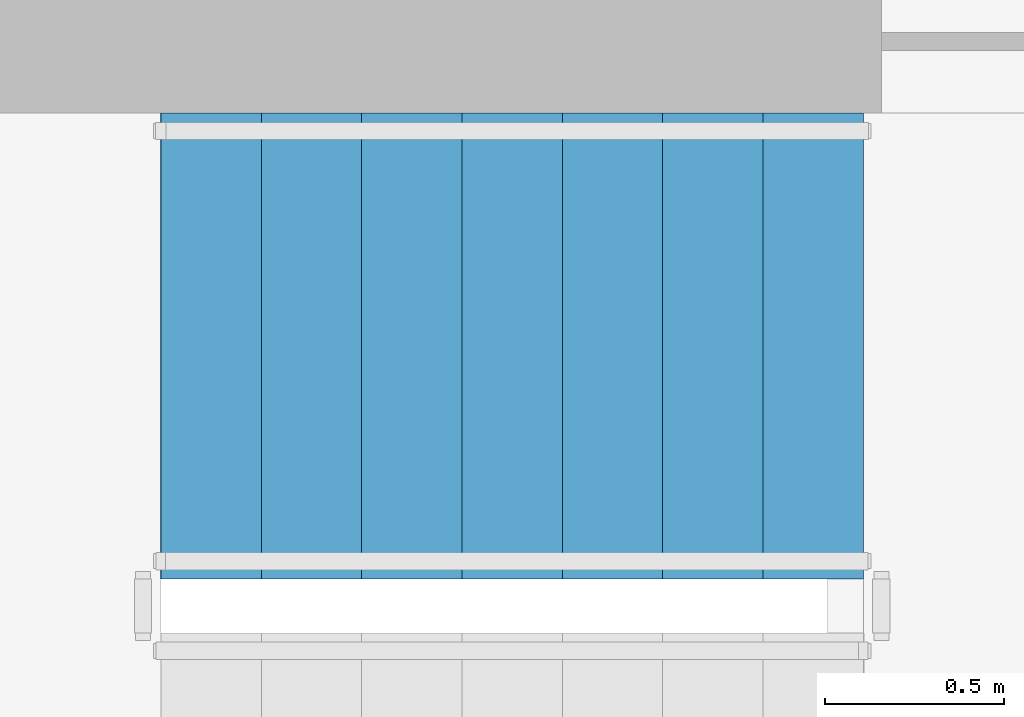
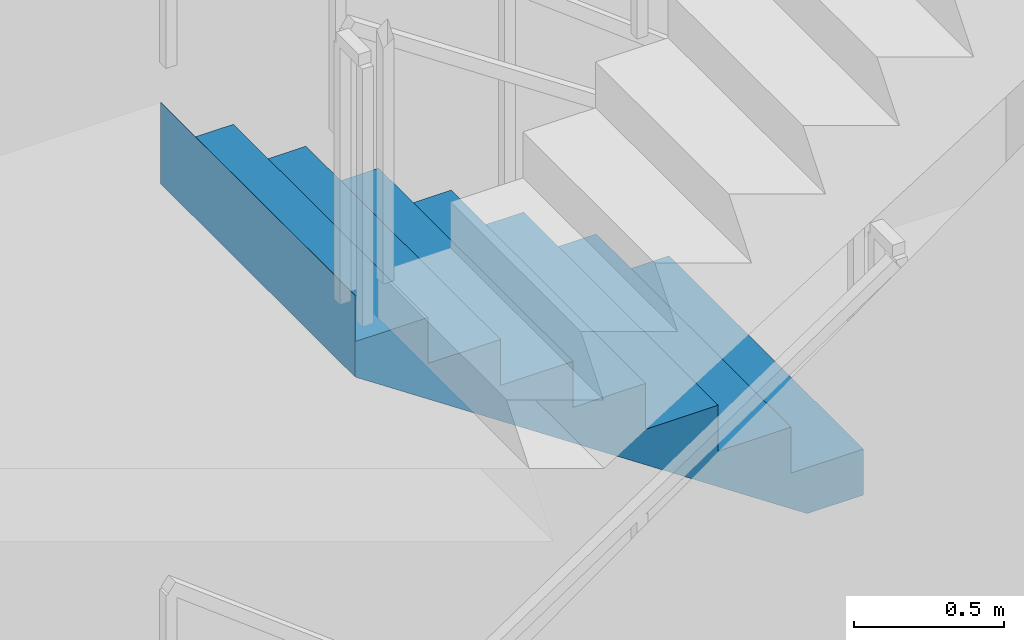
# One storey, part 18 of 23: 1 stair flight, 1 element without a shape of its own.
"""IFC4 building model written with IfcOpenShell, lengths in metres."""

from ifc_helpers import new_model, si_unit, direction, frame, origin, place, context, subcontext, project, spatial, triangles, material, type_object, element, aggregate, save


model = new_model("IFC4")

# Units and contexts
model_context = context("Model", 3, precision=1e-05, world=origin(), true_north=direction((0.0, 1.0)))
body_context = subcontext(model_context, "Body", "Model", "MODEL_VIEW")
ifc_project = project(units=[si_unit("LENGTHUNIT", "METRE"), si_unit("AREAUNIT", "SQUARE_METRE"), si_unit("VOLUMEUNIT", "CUBIC_METRE"), si_unit("PLANEANGLEUNIT", "RADIAN"), si_unit("MASSUNIT", "GRAM", prefix="KILO")], contexts=[model_context])

# Site, building, storey
site_placement = place(None, origin())
site = spatial("IfcSite", under=ifc_project, at=site_placement, CompositionType="ELEMENT")
building_placement = place(site_placement, origin())
building = spatial("IfcBuilding", under=site, at=building_placement, Name="Beryl Residences", CompositionType="ELEMENT")
storey_placement = place(building_placement, frame((0.0, 0.0, 157.199951171875)))
storey = spatial("IfcBuildingStorey", under=building, at=storey_placement, Name="L48", CompositionType="ELEMENT", Elevation=157.199951171875)

# Stair, stair flight
ifc_material_1 = material(Name="Concrete C40/50", Category="concrete")
stair_type = type_object("IfcStairType", Name="ST1 protected exit stair, half-turn, 1300 mm flights", PredefinedType="HALF_TURN_STAIR", material=ifc_material_1)
stair_placement = place(storey_placement, origin())
stair = element("IfcStair", 1, at=stair_placement, inside=storey, type_object=stair_type, Name="L48 PROTECTED EXIT STAIR ST-3", PredefinedType="HALF_TURN_STAIR")
ifc_material_2 = material(Name="Concrete C40/50", Category="concrete")
stair_flight_type = type_object("IfcStairFlightType", Name="SF1 stair flight 1300 mm", PredefinedType="STRAIGHT", material=ifc_material_2)
stair_flight_placement = place(storey_placement, frame((10.800048828125, -15.5, 3.0), z_axis=(0.0, 0.0, 1.0), x_axis=(-1.0, 0.0, 0.0)))
stair_flight = element("IfcStairFlight", 2, at=stair_flight_placement, type_object=stair_flight_type, Name="ST-3 flight 3", NumberOfRisers=8, NumberOfTreads=7, PredefinedType="STRAIGHT", RiserHeight=0.1875, TreadLength=0.28, context=body_context, shape_type="Tessellation", body=[
    triangles([(0.0, -0.64990234375, 0.0), (0.0, -0.324951171875, 0.0), (0.0, 0.0, 0.0), (0.0, 0.324951171875, 0.0), (0.0, 0.64990234375, 0.0), (0.0, -0.64990234375, 0.1875), (0.0, -0.324951171875, 0.1875), (0.0, 0.0, 0.1875), (0.0, 0.324951171875, 0.1875), (0.0, 0.64990234375, 0.1875), (0.280029296875, -0.64990234375, 0.1875), (0.280029296875, -0.324951171875, 0.1875), (0.280029296875, 0.0, 0.1875), (0.280029296875, 0.324951171875, 0.1875), (0.280029296875, 0.64990234375, 0.1875), (0.280029296875, -0.64990234375, 0.375), (0.280029296875, -0.324951171875, 0.375), (0.280029296875, 0.0, 0.375), (0.280029296875, 0.324951171875, 0.375), (0.280029296875, 0.64990234375, 0.375), (0.56005859375, -0.64990234375, 0.375), (0.56005859375, -0.324951171875, 0.375), (0.56005859375, 0.0, 0.375), (0.56005859375, 0.324951171875, 0.375), (0.56005859375, 0.64990234375, 0.375), (0.56005859375, -0.64990234375, 0.5625), (0.56005859375, -0.324951171875, 0.5625), (0.56005859375, 0.0, 0.5625), (0.56005859375, 0.324951171875, 0.5625), (0.56005859375, 0.64990234375, 0.5625), (0.840087890625, -0.64990234375, 0.5625), (0.840087890625, -0.324951171875, 0.5625), (0.840087890625, 0.0, 0.5625), (0.840087890625, 0.324951171875, 0.5625), (0.840087890625, 0.64990234375, 0.5625), (0.840087890625, -0.64990234375, 0.75), (0.840087890625, -0.324951171875, 0.75), (0.840087890625, 0.0, 0.75), (0.840087890625, 0.324951171875, 0.75), (0.840087890625, 0.64990234375, 0.75), (1.1201171875, -0.64990234375, 0.75), (1.1201171875, -0.324951171875, 0.75), (1.1201171875, 0.0, 0.75), (1.1201171875, 0.324951171875, 0.75), (1.1201171875, 0.64990234375, 0.75), (1.1201171875, -0.64990234375, 0.9375), (1.1201171875, -0.324951171875, 0.9375), (1.1201171875, 0.0, 0.9375), (1.1201171875, 0.324951171875, 0.9375), (1.1201171875, 0.64990234375, 0.9375), (1.39990234375, -0.64990234375, 0.9375), (1.39990234375, -0.324951171875, 0.9375), (1.39990234375, 0.0, 0.9375), (1.39990234375, 0.324951171875, 0.9375), (1.39990234375, 0.64990234375, 0.9375), (1.39990234375, -0.64990234375, 1.125), (1.39990234375, -0.324951171875, 1.125), (1.39990234375, 0.0, 1.125), (1.39990234375, 0.324951171875, 1.125), (1.39990234375, 0.64990234375, 1.125), (1.679931640625, -0.64990234375, 1.125), (1.679931640625, -0.324951171875, 1.125), (1.679931640625, 0.0, 1.125), (1.679931640625, 0.324951171875, 1.125), (1.679931640625, 0.64990234375, 1.125), (1.679931640625, -0.64990234375, 1.3125), (1.679931640625, -0.324951171875, 1.3125), (1.679931640625, 0.0, 1.3125), (1.679931640625, 0.324951171875, 1.3125), (1.679931640625, 0.64990234375, 1.3125), (1.9599609375, -0.64990234375, 1.3125), (1.9599609375, -0.324951171875, 1.3125), (1.9599609375, 0.0, 1.3125), (1.9599609375, 0.324951171875, 1.3125), (1.9599609375, 0.64990234375, 1.3125), (1.9599609375, -0.64990234375, 1.5), (1.9599609375, -0.324951171875, 1.5), (1.9599609375, 0.0, 1.5), (1.9599609375, 0.324951171875, 1.5), (1.9599609375, 0.64990234375, 1.5), (1.9609375, -0.64990234375, 1.5), (1.9609375, -0.324951171875, 1.5), (1.9609375, 0.0, 1.5), (1.9609375, 0.324951171875, 1.5), (1.9609375, 0.64990234375, 1.5), (1.9609375, -0.64990234375, 1.16796875), (1.9609375, -0.324951171875, 1.16796875), (1.9609375, 0.0, 1.16796875), (1.9609375, 0.324951171875, 1.16796875), (1.9609375, 0.64990234375, 1.16796875), (0.216796875, -0.64990234375, 0.0), (0.216796875, -0.324951171875, 0.0), (0.216796875, 0.0, 0.0), (0.216796875, 0.324951171875, 0.0), (0.216796875, 0.64990234375, 0.0)], [[1, 6, 7], [1, 7, 2], [2, 7, 8], [2, 8, 3], [3, 8, 9], [3, 9, 4], [4, 9, 10], [4, 10, 5], [6, 11, 12], [6, 12, 7], [7, 12, 13], [7, 13, 8], [8, 13, 14], [8, 14, 9], [9, 14, 15], [9, 15, 10], [11, 16, 17], [11, 17, 12], [12, 17, 18], [12, 18, 13], [13, 18, 19], [13, 19, 14], [14, 19, 20], [14, 20, 15], [16, 21, 22], [16, 22, 17], [17, 22, 23], [17, 23, 18], [18, 23, 24], [18, 24, 19], [19, 24, 25], [19, 25, 20], [21, 26, 27], [21, 27, 22], [22, 27, 28], [22, 28, 23], [23, 28, 29], [23, 29, 24], [24, 29, 30], [24, 30, 25], [26, 31, 32], [26, 32, 27], [27, 32, 33], [27, 33, 28], [28, 33, 34], [28, 34, 29], [29, 34, 35], [29, 35, 30], [31, 36, 37], [31, 37, 32], [32, 37, 38], [32, 38, 33], [33, 38, 39], [33, 39, 34], [34, 39, 40], [34, 40, 35], [36, 41, 42], [36, 42, 37], [37, 42, 43], [37, 43, 38], [38, 43, 44], [38, 44, 39], [39, 44, 45], [39, 45, 40], [41, 46, 47], [41, 47, 42], [42, 47, 48], [42, 48, 43], [43, 48, 49], [43, 49, 44], [44, 49, 50], [44, 50, 45], [46, 51, 52], [46, 52, 47], [47, 52, 53], [47, 53, 48], [48, 53, 54], [48, 54, 49], [49, 54, 55], [49, 55, 50], [51, 56, 57], [51, 57, 52], [52, 57, 58], [52, 58, 53], [53, 58, 59], [53, 59, 54], [54, 59, 60], [54, 60, 55], [56, 61, 62], [56, 62, 57], [57, 62, 63], [57, 63, 58], [58, 63, 64], [58, 64, 59], [59, 64, 65], [59, 65, 60], [61, 66, 67], [61, 67, 62], [62, 67, 68], [62, 68, 63], [63, 68, 69], [63, 69, 64], [64, 69, 70], [64, 70, 65], [66, 71, 72], [66, 72, 67], [67, 72, 73], [67, 73, 68], [68, 73, 74], [68, 74, 69], [69, 74, 75], [69, 75, 70], [71, 76, 77], [71, 77, 72], [72, 77, 78], [72, 78, 73], [73, 78, 79], [73, 79, 74], [74, 79, 80], [74, 80, 75], [76, 81, 82], [76, 82, 77], [77, 82, 83], [77, 83, 78], [78, 83, 84], [78, 84, 79], [79, 84, 85], [79, 85, 80], [81, 86, 87], [81, 87, 82], [82, 87, 88], [82, 88, 83], [83, 88, 89], [83, 89, 84], [84, 89, 90], [84, 90, 85], [86, 91, 92], [86, 92, 87], [87, 92, 93], [87, 93, 88], [88, 93, 94], [88, 94, 89], [89, 94, 95], [89, 95, 90], [91, 1, 2], [91, 2, 92], [92, 2, 3], [92, 3, 93], [93, 3, 4], [93, 4, 94], [94, 4, 5], [94, 5, 95], [1, 91, 86], [5, 90, 95], [86, 81, 76], [90, 80, 85], [86, 76, 71], [90, 75, 80], [86, 71, 66], [90, 70, 75], [86, 66, 61], [90, 65, 70], [61, 56, 51], [65, 55, 60], [86, 61, 51], [90, 55, 65], [51, 46, 41], [55, 45, 50], [86, 51, 41], [90, 45, 55], [41, 36, 31], [45, 35, 40], [86, 41, 31], [90, 35, 45], [31, 26, 21], [35, 25, 30], [86, 31, 21], [90, 25, 35], [21, 16, 11], [25, 15, 20], [86, 21, 11], [90, 15, 25], [1, 86, 11], [5, 15, 90], [11, 6, 1], [15, 5, 10]], closed=True),
])
aggregate(stair, [stair_flight])

save(model, "model.ifc")
